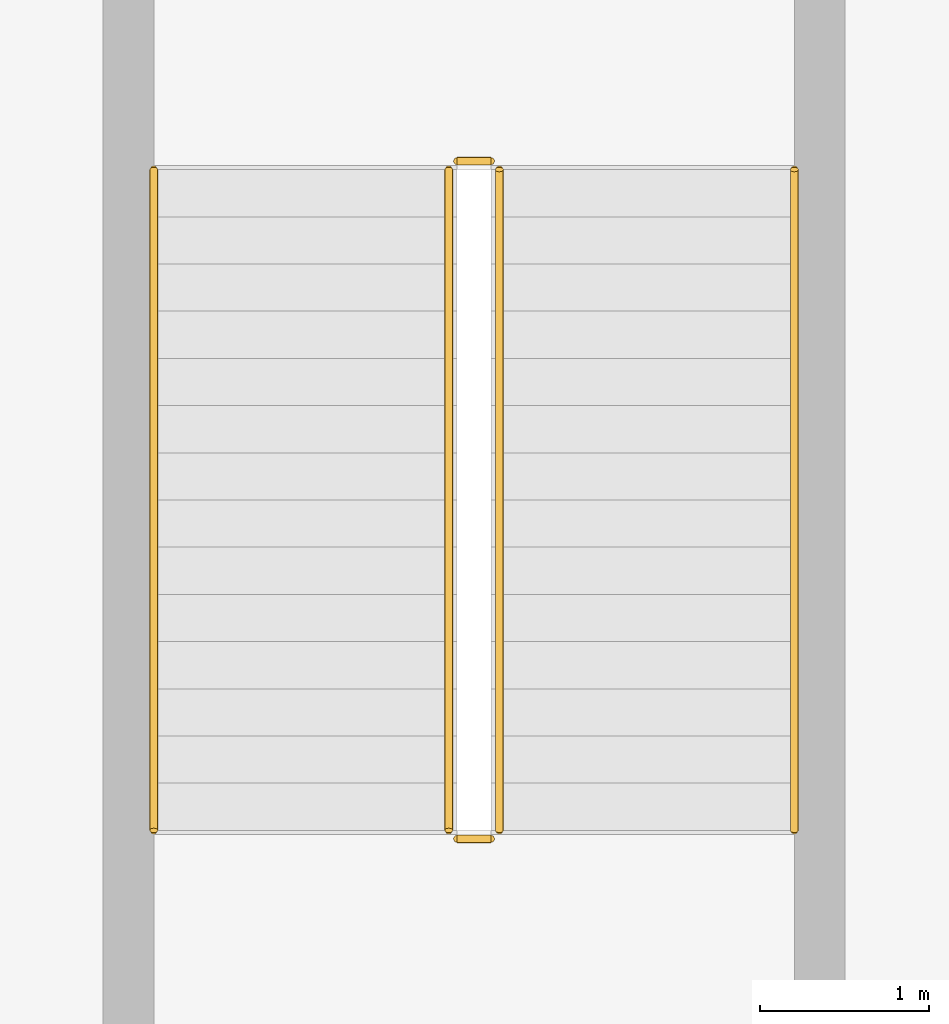
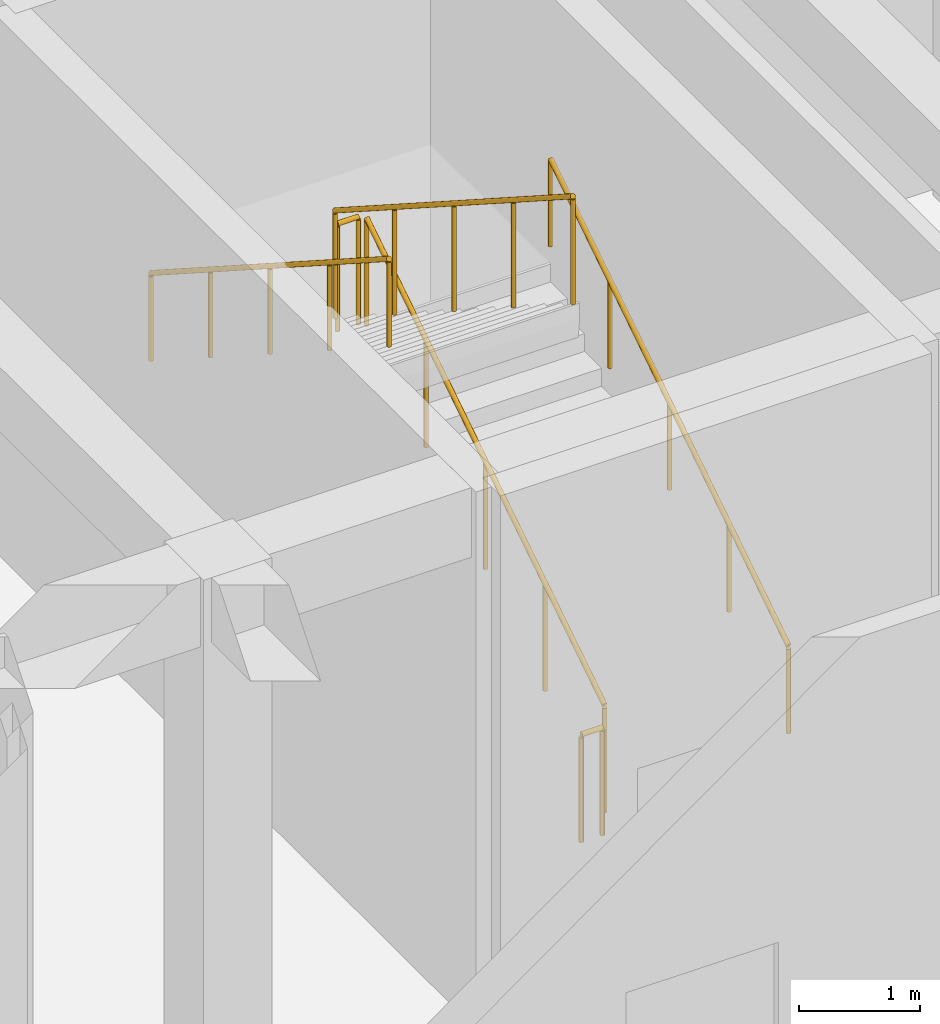
# One storey, part 142 of 157: 6 railings.
"""IFC4 building model written with IfcOpenShell, lengths in metres."""

from ifc_helpers import new_model, si_unit, direction, frame, origin, origin_2d, place, context, subcontext, project, spatial, circle, extrude, material, type_object, element, save


model = new_model("IFC4")

# Units and contexts
model_context = context("Model", 3, precision=1e-05, world=origin(), true_north=direction((0.0, 1.0)))
body_context = subcontext(model_context, "Body", "Model", "MODEL_VIEW")
ifc_project = project(units=[si_unit("LENGTHUNIT", "METRE"), si_unit("AREAUNIT", "SQUARE_METRE"), si_unit("VOLUMEUNIT", "CUBIC_METRE"), si_unit("PLANEANGLEUNIT", "RADIAN"), si_unit("MASSUNIT", "GRAM", prefix="KILO")], contexts=[model_context])

# Site, building, storey
site_placement = place(None, origin())
site = spatial("IfcSite", under=ifc_project, at=site_placement, CompositionType="ELEMENT")
building_placement = place(site_placement, origin())
building = spatial("IfcBuilding", under=site, at=building_placement, Name="Varncliffe General Hospital", CompositionType="ELEMENT")
storey_placement = place(building_placement, frame((0.0, 0.0, 5.39990234375)))
storey = spatial("IfcBuildingStorey", under=building, at=storey_placement, Name="L01", CompositionType="ELEMENT", Elevation=5.39990234375)

# Railings
ifc_material = material(Name="Powder-coated hospital steel guardrail and handrail", Category="steel")
railing_type_1 = type_object("IfcRailingType", Name="Stair and Ramp Handrail HR46", PredefinedType="HANDRAIL", material=ifc_material)
railing_1_placement = place(storey_placement, frame((56.75, 118.0, 0.364013671875)))
element("IfcRailing", 1, at=railing_1_placement, inside=storey, type_object=railing_type_1, Name="L01 ST02 stair handrail 1", PredefinedType="HANDRAIL", context=body_context, shape_type="SweptSolid", body=[
    extrude(circle(Radius=0.02392578125, at=origin_2d()), frame((0.0, 0.0, 0.8759765625), z_axis=(0.0, 0.841171666519, 0.540768182723), x_axis=(-1.0, 0.0, 0.0)), (0.0, 0.0, 1.0), 4.66015625),
    extrude(circle(Radius=0.02099609375, at=origin_2d()), origin(), (0.0, 0.0, 1.0), 0.851806640625),
    extrude(circle(Radius=0.02099609375, at=origin_2d()), frame((0.0, 0.97998046875, 0.6298828125)), (0.0, 0.0, 1.0), 0.851806640625),
    extrude(circle(Radius=0.02099609375, at=origin_2d()), frame((0.0, 1.9599609375, 1.260009765625)), (0.0, 0.0, 1.0), 0.851806640625),
    extrude(circle(Radius=0.02099609375, at=origin_2d()), frame((0.0, 2.93994140625, 1.89013671875)), (0.0, 0.0, 1.0), 0.851806640625),
    extrude(circle(Radius=0.02099609375, at=origin_2d()), frame((0.0, 3.919921875, 2.52001953125)), (0.0, 0.0, 1.0), 0.851806640625),
])
railing_2_placement = place(storey_placement, frame((52.949951171875, 121.919921875, 3.064208984375)))
element("IfcRailing", 2, at=railing_2_placement, inside=storey, type_object=railing_type_1, Name="L01 ST02 stair handrail 2", PredefinedType="HANDRAIL", context=body_context, shape_type="SweptSolid", body=[
    extrude(circle(Radius=0.02392578125, at=origin_2d()), frame((0.0, 0.0, 0.8759765625), z_axis=(0.0, -0.84119549742, 0.540731111663), x_axis=(1.0, 0.0, 0.0)), (0.0, 0.0, 1.0), 4.659912109375),
    extrude(circle(Radius=0.02099609375, at=origin_2d()), origin(), (0.0, 0.0, 1.0), 0.851806640625),
    extrude(circle(Radius=0.02099609375, at=origin_2d()), frame((0.0, -0.97998046875, 0.6298828125)), (0.0, 0.0, 1.0), 0.851806640625),
    extrude(circle(Radius=0.02099609375, at=origin_2d()), frame((0.0, -1.9599609375, 1.259765625)), (0.0, 0.0, 1.0), 0.851806640625),
    extrude(circle(Radius=0.02099609375, at=origin_2d()), frame((0.0, -2.93994140625, 1.889892578125)), (0.0, 0.0, 1.0), 0.851806640625),
    extrude(circle(Radius=0.02099609375, at=origin_2d()), frame((0.0, -3.919921875, 2.519775390625)), (0.0, 0.0, 1.0), 0.851806640625),
])
railing_type_2 = type_object("IfcRailingType", Name="Stairwell Guardrail SG49", PredefinedType="GUARDRAIL", material=ifc_material)
railing_3_placement = place(storey_placement, frame((55.0, 118.0, 0.18017578125)))
element("IfcRailing", 3, at=railing_3_placement, inside=storey, type_object=railing_type_2, Name="L01 ST02 stair guard 1", PredefinedType="GUARDRAIL", context=body_context, shape_type="SweptSolid", body=[
    extrude(circle(Radius=0.02392578125, at=origin_2d()), frame((0.0, 0.0, 1.076171875), z_axis=(0.0, 0.841171666519, 0.540768182723), x_axis=(-1.0, 0.0, 0.0)), (0.0, 0.0, 1.0), 4.66015625),
    extrude(circle(Radius=0.02099609375, at=origin_2d()), origin(), (0.0, 0.0, 1.0), 1.052001953125),
    extrude(circle(Radius=0.02099609375, at=origin_2d()), frame((0.0, 0.97998046875, 0.6298828125)), (0.0, 0.0, 1.0), 1.052001953125),
    extrude(circle(Radius=0.02099609375, at=origin_2d()), frame((0.0, 1.9599609375, 1.260009765625)), (0.0, 0.0, 1.0), 1.052001953125),
    extrude(circle(Radius=0.02099609375, at=origin_2d()), frame((0.0, 2.93994140625, 1.89013671875)), (0.0, 0.0, 1.0), 1.052001953125),
    extrude(circle(Radius=0.02099609375, at=origin_2d()), frame((0.0, 3.919921875, 2.52001953125)), (0.0, 0.0, 1.0), 1.052001953125),
])
railing_4_placement = place(storey_placement, frame((54.949951171875, 121.969970703125, 2.7001953125)))
element("IfcRailing", 4, at=railing_4_placement, inside=storey, type_object=railing_type_2, Name="L01 ST02 stair guard 2", PredefinedType="GUARDRAIL", context=body_context, shape_type="SweptSolid", body=[
    extrude(circle(Radius=0.02392578125, at=origin_2d()), frame((0.0, 0.0, 1.076171875), z_axis=(-1.0, 0.0, 0.0), x_axis=(0.0, -1.0, 0.0)), (0.0, 0.0, 1.0), 0.199951171875),
    extrude(circle(Radius=0.02099609375, at=origin_2d()), origin(), (0.0, 0.0, 1.0), 1.052001953125),
    extrude(circle(Radius=0.02099609375, at=origin_2d()), frame((-0.199951171875, 0.0, 0.0)), (0.0, 0.0, 1.0), 1.052001953125),
])
railing_5_placement = place(storey_placement, frame((54.699951171875, 121.919921875, 2.880126953125)))
element("IfcRailing", 5, at=railing_5_placement, inside=storey, type_object=railing_type_2, Name="L01 ST02 stair guard 3", PredefinedType="GUARDRAIL", context=body_context, shape_type="SweptSolid", body=[
    extrude(circle(Radius=0.02392578125, at=origin_2d()), frame((0.0, 0.0, 1.076171875), z_axis=(0.0, -0.841171666519, 0.540768182723), x_axis=(1.0, 0.0, 0.0)), (0.0, 0.0, 1.0), 4.66015625),
    extrude(circle(Radius=0.02099609375, at=origin_2d()), origin(), (0.0, 0.0, 1.0), 1.052001953125),
    extrude(circle(Radius=0.02099609375, at=origin_2d()), frame((0.0, -0.97998046875, 0.6298828125)), (0.0, 0.0, 1.0), 1.052001953125),
    extrude(circle(Radius=0.02099609375, at=origin_2d()), frame((0.0, -1.9599609375, 1.260009765625)), (0.0, 0.0, 1.0), 1.052001953125),
    extrude(circle(Radius=0.02099609375, at=origin_2d()), frame((0.0, -2.93994140625, 1.89013671875)), (0.0, 0.0, 1.0), 1.052001953125),
    extrude(circle(Radius=0.02099609375, at=origin_2d()), frame((0.0, -3.919921875, 2.52001953125)), (0.0, 0.0, 1.0), 1.052001953125),
])
railing_6_placement = place(storey_placement, frame((54.949951171875, 117.949951171875, 0.0)))
element("IfcRailing", 6, at=railing_6_placement, inside=storey, type_object=railing_type_2, Name="L01 ST02 stair guard 4", PredefinedType="GUARDRAIL", context=body_context, shape_type="SweptSolid", body=[
    extrude(circle(Radius=0.02392578125, at=origin_2d()), frame((0.0, 0.0, 1.076171875), z_axis=(-1.0, 0.0, 0.0), x_axis=(0.0, -1.0, 0.0)), (0.0, 0.0, 1.0), 0.199951171875),
    extrude(circle(Radius=0.02099609375, at=origin_2d()), origin(), (0.0, 0.0, 1.0), 1.052001953125),
    extrude(circle(Radius=0.02099609375, at=origin_2d()), frame((-0.199951171875, 0.0, 0.0)), (0.0, 0.0, 1.0), 1.052001953125),
])

save(model, "model.ifc")
